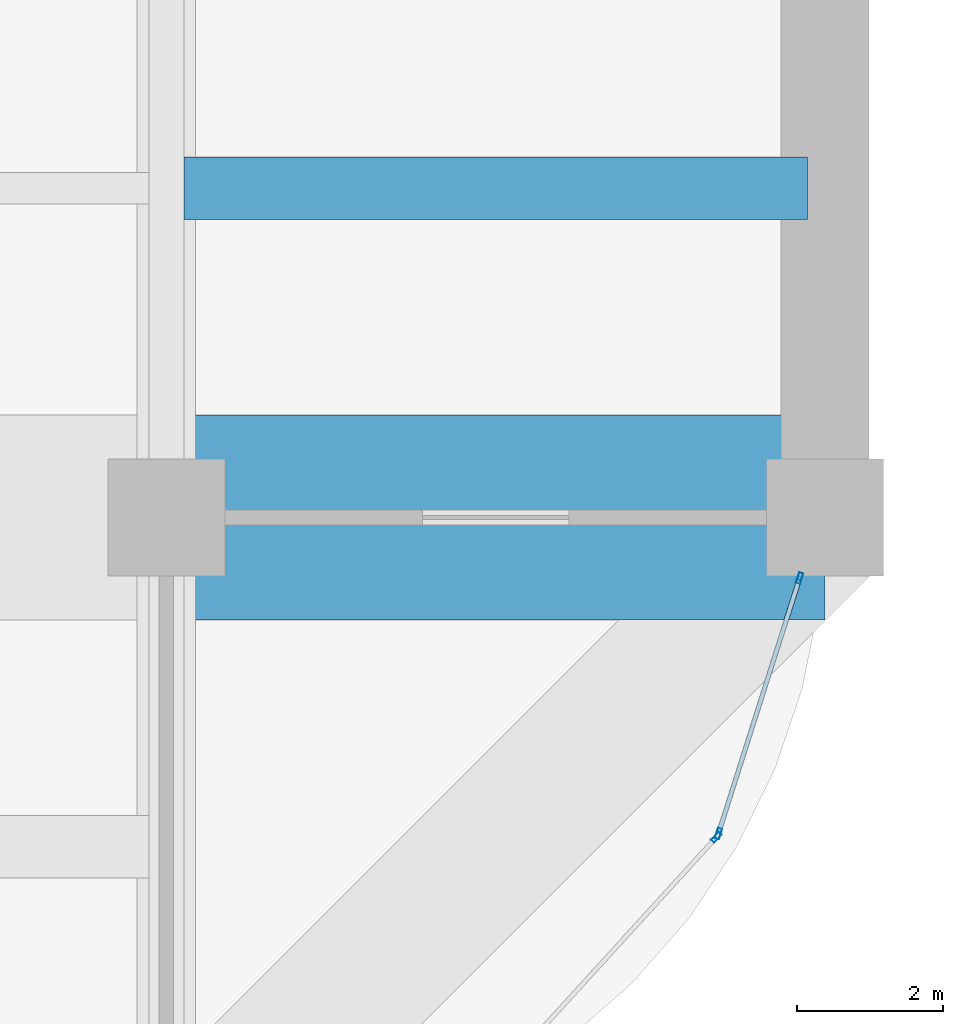
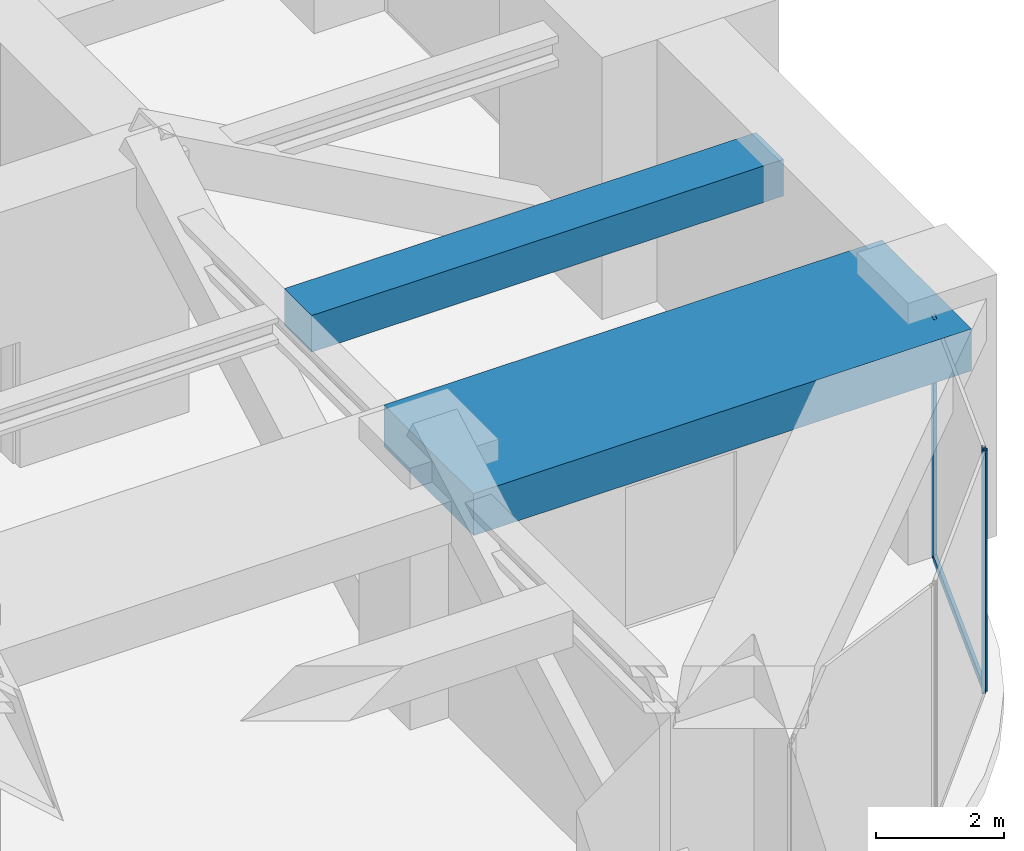
# One storey, part 13 of 32: 4 members, 2 beams, 2 elements without a shape of their own.
"""IFC4 building model written with IfcOpenShell, lengths in metres."""

from ifc_helpers import new_model, si_unit, direction, frame, origin, origin_2d, place, context, subcontext, project, spatial, rectangle, hollow_rectangle, extrude, material, material_profile, profile_set, type_object, element, aggregate, save


model = new_model("IFC4")

# Units and contexts
model_context = context("Model", 3, precision=1e-05, world=origin(), true_north=direction((0.0, 1.0)))
body_context = subcontext(model_context, "Body", "Model", "MODEL_VIEW")
ifc_project = project(units=[si_unit("LENGTHUNIT", "METRE"), si_unit("AREAUNIT", "SQUARE_METRE"), si_unit("VOLUMEUNIT", "CUBIC_METRE"), si_unit("PLANEANGLEUNIT", "RADIAN"), si_unit("MASSUNIT", "GRAM", prefix="KILO")], contexts=[model_context])

# Site, building, storey
site_placement = place(None, origin())
site = spatial("IfcSite", under=ifc_project, at=site_placement, CompositionType="ELEMENT")
building_placement = place(site_placement, origin())
building = spatial("IfcBuilding", under=site, at=building_placement, Name="Zorevar Civic Tower", CompositionType="ELEMENT")
storey_placement = place(building_placement, frame((0.0, 0.0, 234.39990234375)))
storey = spatial("IfcBuildingStorey", under=building, at=storey_placement, Name="L57", CompositionType="ELEMENT", Elevation=234.39990234375)

# Beams
ifc_material_1 = material(Name="Concrete C50/60", Category="concrete")
ifc_material_profile_1 = material_profile(ifc_material_1, rectangle(XDim=2.800048828125, YDim=0.800048828125, at=origin_2d()), Name="RC 2800x800")
ifc_profile_set_1 = profile_set([ifc_material_profile_1], Name="Concrete C50/60")
beam_type_1 = type_object("IfcBeamType", Name="Beam RC 2800x800", PredefinedType="BEAM", material=ifc_profile_set_1)
beam_1_placement = place(storey_placement, frame((45.0, 9.0, 4.2001953125), z_axis=(1.0, 0.0, 0.0), x_axis=(0.0, 1.0, 0.0)))
element("IfcBeam", 1, at=beam_1_placement, inside=storey, type_object=beam_type_1, Name="Girder L58", PredefinedType="BEAM", context=body_context, shape_type="SweptSolid", body=[
    extrude(rectangle(XDim=2.800048828125, YDim=0.800048828125, at=origin_2d()), origin(), (0.0, 0.0, 1.0), 9.0),
])
ifc_material_2 = material(Name="Concrete C50/60", Category="concrete")
ifc_material_profile_2 = material_profile(ifc_material_2, rectangle(XDim=0.85009765625, YDim=0.699951171875, at=origin_2d()), Name="RC 850x700")
ifc_profile_set_2 = profile_set([ifc_material_profile_2], Name="Concrete C50/60")
beam_type_2 = type_object("IfcBeamType", Name="Beam RC 850x700", PredefinedType="BEAM", material=ifc_profile_set_2)
beam_2_placement = place(storey_placement, frame((45.238037109375, 13.5, 4.25), z_axis=(1.0, 0.0, 0.0), x_axis=(0.0, 1.0, 0.0)))
element("IfcBeam", 2, at=beam_2_placement, inside=storey, type_object=beam_type_2, Name="Secondary beam L58", PredefinedType="BEAM", context=body_context, shape_type="SweptSolid", body=[
    extrude(rectangle(XDim=0.85009765625, YDim=0.699951171875, at=origin_2d()), origin(), (0.0, 0.0, 1.0), 8.52392578125),
])

# Curtain wall, member
ifc_material_3 = material(Name="Black aluminium louvres", Category="aluminium")
curtain_wall_type = type_object("IfcCurtainWallType", Name="Louvred curtain wall CW6 refuge", PredefinedType="NOTDEFINED", material=ifc_material_3)
curtain_wall_1_placement = place(storey_placement, origin())
curtain_wall_1 = element("IfcCurtainWall", 3, at=curtain_wall_1_placement, inside=storey, type_object=curtain_wall_type, Name="CW6 L57", PredefinedType="NOTDEFINED")
ifc_material_4 = material(Name="Aluminium, black anodised", Category="aluminium")
ifc_material_profile_3 = material_profile(ifc_material_4, hollow_rectangle(XDim=0.06005859375, YDim=0.14990234375, WallThickness=0.00390625, at=origin_2d()), Name="AL 150x60x4")
ifc_profile_set_3 = profile_set([ifc_material_profile_3], Name="Aluminium, black anodised")
member_type_1 = type_object("IfcMemberType", Name="CW6 mullion AL 150x60x4", PredefinedType="MULLION", material=ifc_profile_set_3)
member_1_placement = place(storey_placement, frame((52.515380859375, 4.6298828125, 0.0), z_axis=(0.0, 0.0, 1.0), x_axis=(-0.739157439623, 0.673532686252, 0.0)))
member_1 = element("IfcMember", 4, at=member_1_placement, type_object=member_type_1, Name="CW6 mullion 2", PredefinedType="MULLION", context=body_context, shape_type="SweptSolid", body=[
    extrude(hollow_rectangle(XDim=0.06005859375, YDim=0.14990234375, WallThickness=0.00390625, at=origin_2d()), origin(), (0.0, 0.0, 1.0), 4.60009765625),
])
aggregate(curtain_wall_1, [member_1])

# Curtain wall, members
curtain_wall_2_placement = place(storey_placement, origin())
curtain_wall_2 = element("IfcCurtainWall", 5, at=curtain_wall_2_placement, inside=storey, type_object=curtain_wall_type, Name="CW6 L57", PredefinedType="NOTDEFINED")
member_2_placement = place(storey_placement, frame((52.544677734375, 4.6806640625, 0.0), z_axis=(0.0, 0.0, 1.0), x_axis=(-0.953035458272, 0.302858738154, 0.0)))
member_2 = element("IfcMember", 6, at=member_2_placement, type_object=member_type_1, Name="CW6 mullion 1", PredefinedType="MULLION", context=body_context, shape_type="SweptSolid", body=[
    extrude(hollow_rectangle(XDim=0.06005859375, YDim=0.14990234375, WallThickness=0.00390625, at=origin_2d()), origin(), (0.0, 0.0, 1.0), 4.60009765625),
])
member_3_placement = place(storey_placement, frame((53.654052734375, 8.17138671875, 0.0), z_axis=(0.0, 0.0, 1.0), x_axis=(-0.953035458272, 0.302858738154, 0.0)))
member_3 = element("IfcMember", 7, at=member_3_placement, type_object=member_type_1, Name="CW6 mullion 2", PredefinedType="MULLION", context=body_context, shape_type="SweptSolid", body=[
    extrude(hollow_rectangle(XDim=0.06005859375, YDim=0.14990234375, WallThickness=0.00390625, at=origin_2d()), origin(), (0.0, 0.0, 1.0), 4.60009765625),
])
ifc_material_5 = material(Name="Aluminium, black anodised", Category="aluminium")
ifc_material_profile_4 = material_profile(ifc_material_5, hollow_rectangle(XDim=0.06005859375, YDim=0.14990234375, WallThickness=0.00390625, at=origin_2d()), Name="AL 150x60x4")
ifc_profile_set_4 = profile_set([ifc_material_profile_4], Name="Aluminium, black anodised")
member_type_2 = type_object("IfcMemberType", Name="CW6 transom AL 150x60x4", PredefinedType="USERDEFINED", material=ifc_profile_set_4)
member_4_placement = place(storey_placement, frame((52.5537109375, 4.709228515625, 0.030029296875), z_axis=(0.302840020249, 0.953041406307, 0.0), x_axis=(-0.953041406307, 0.302840020249, 0.0)))
member_4 = element("IfcMember", 8, at=member_4_placement, type_object=member_type_2, Name="CW6 sill transom", ObjectType="TRANSOM", PredefinedType="USERDEFINED", context=body_context, shape_type="SweptSolid", body=[
    extrude(hollow_rectangle(XDim=0.06005859375, YDim=0.14990234375, WallThickness=0.00390625, at=origin_2d()), origin(), (0.0, 0.0, 1.0), 3.602783203125),
])
aggregate(curtain_wall_2, [member_2, member_3, member_4])

save(model, "model.ifc")
